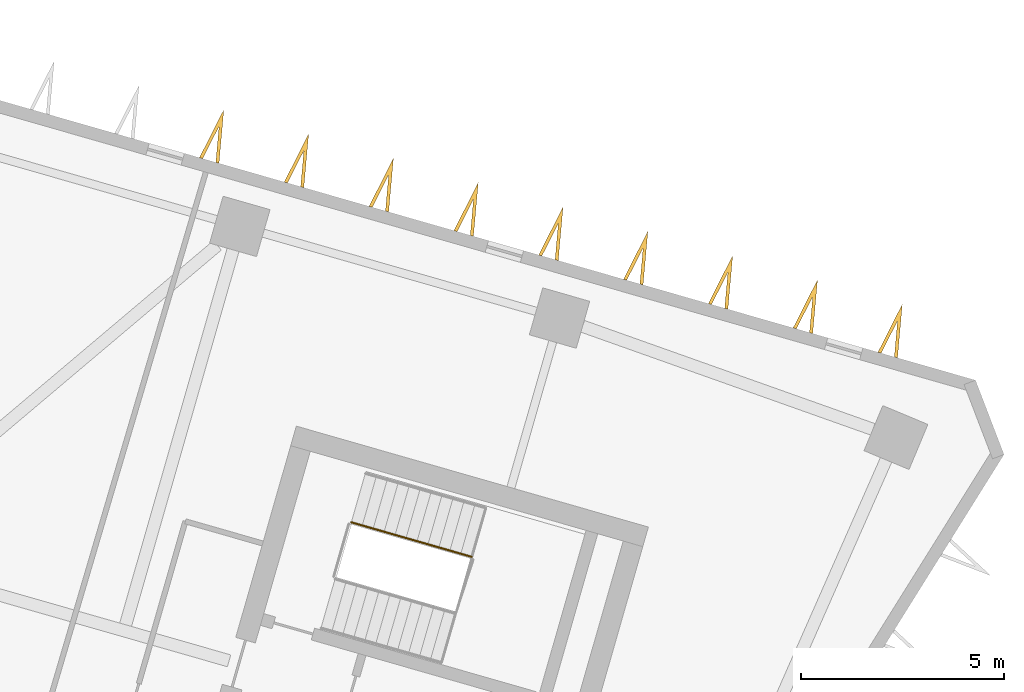
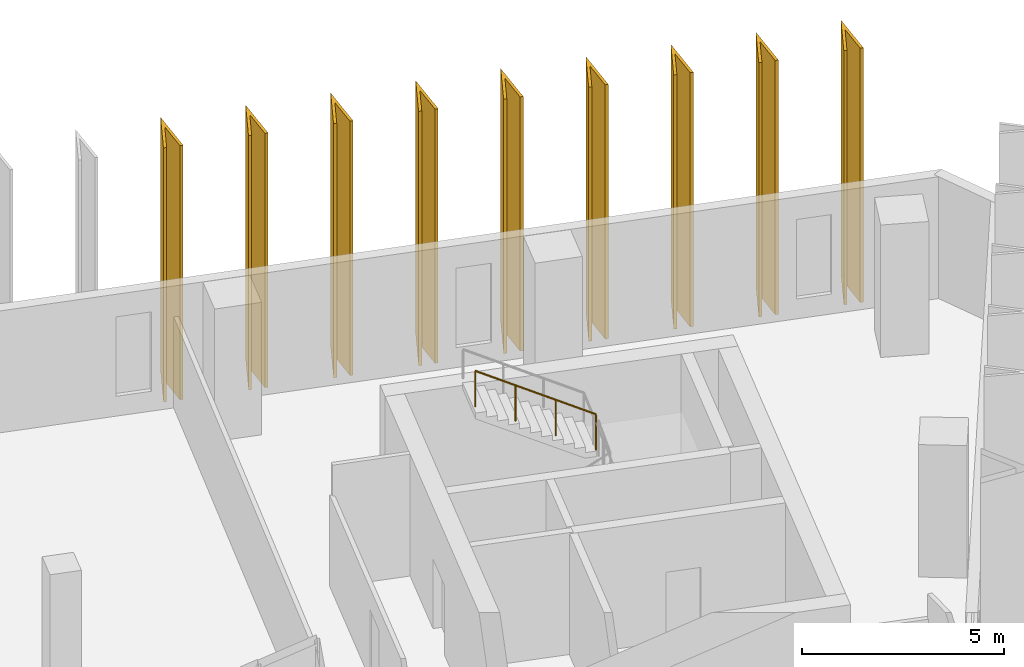
# One storey, part 10 of 10: 9 shading devices, 1 railing.
"""IFC4 building model written with IfcOpenShell, lengths in metres."""

import ifcopenshell
import ifcopenshell.guid

model = None  # the IFC model being written
_history = None  # IfcOwnerHistory: only IFC2X3 demands one
_inside = {}  # id of a spatial element -> (the spatial element, [elements in it])
_under = {}  # id of a project, library or spatial element -> (it, [spatial elements below it])
_declared = {}  # id of a project -> (the project, [libraries it declares])
_typed = {}  # id of a type object -> (the type object, [elements of that type])
_made_of = {}  # id of a material, layer set ... -> (it, [elements and type objects made of it])


def new_model(schema):
    """Start an empty IFC model of exactly this schema.

    Asked for "IFC4X3", IfcOpenShell would pick the latest addendum, in which some entities
    have other attributes; the version numbers below select the first issue.
    IFC2X3 requires an IfcOwnerHistory on every rooted entity: one is made here for all.
    """
    global model, _history
    if schema == "IFC4X3":
        model = ifcopenshell.file(schema_version=(4, 3, 0, 0))
    else:
        model = ifcopenshell.file(schema=schema)
    _inside.clear()
    _under.clear()
    _declared.clear()
    _typed.clear()
    _made_of.clear()
    _history = None
    if model.schema == "IFC2X3":
        org = make("IfcOrganization", Name="unknown")
        user = make(
            "IfcPersonAndOrganization",
            ThePerson=make("IfcPerson", FamilyName="unknown"),
            TheOrganization=org,
        )
        app = make(
            "IfcApplication",
            ApplicationDeveloper=org,
            Version="unknown",
            ApplicationFullName="unknown",
            ApplicationIdentifier="unknown",
        )
        _history = make(
            "IfcOwnerHistory",
            OwningUser=user,
            OwningApplication=app,
            ChangeAction="ADDED",
            CreationDate=0,
        )
    return model


def make(cls, **values):
    """One entity of the class cls with the attributes given. An attribute that is None is left unset."""
    return model.create_entity(
        cls, **{name: value for name, value in values.items() if value is not None}
    )


def rooted(cls, **values):
    """An entity with a GlobalId (a new one), such as an element, a storey or a relation."""
    return make(cls, GlobalId=ifcopenshell.guid.new(), OwnerHistory=_history, **values)


def si_unit(unit_type, name, prefix=None):
    """IfcSIUnit, for example si_unit("LENGTHUNIT", "METRE", prefix="MILLI")."""
    return make("IfcSIUnit", UnitType=unit_type, Prefix=prefix, Name=name)


def assignment(units):
    """IfcUnitAssignment: the units of a project."""
    return None if units is None else make("IfcUnitAssignment", Units=units)


def point(xyz):
    """IfcCartesianPoint."""
    return None if xyz is None else make("IfcCartesianPoint", Coordinates=xyz)


def direction(xyz):
    """IfcDirection."""
    return None if xyz is None else make("IfcDirection", DirectionRatios=xyz)


def frame(location, z_axis=None, x_axis=None):
    """IfcAxis2Placement3D, a coordinate frame: its origin and axes. An axis left out is left unset."""
    return make(
        "IfcAxis2Placement3D",
        Location=point(location),
        Axis=direction(z_axis),
        RefDirection=direction(x_axis),
    )


def frame_2d(location, x_axis=None):
    """IfcAxis2Placement2D, a coordinate frame in the plane: its origin and x axis."""
    return make(
        "IfcAxis2Placement2D", Location=point(location), RefDirection=direction(x_axis)
    )


def origin():
    """The frame at (0, 0, 0) with its axes left unset."""
    return frame((0.0, 0.0, 0.0))


def origin_2d():
    """The frame at (0, 0) in the plane with its x axis left unset."""
    return frame_2d((0.0, 0.0))


def place(relative_to, where):
    """IfcLocalPlacement: puts the frame where relative to a parent placement (None: the world)."""
    return make(
        "IfcLocalPlacement", PlacementRelTo=relative_to, RelativePlacement=where
    )


def context(
    kind, dimensions, precision=None, world=None, true_north=None, identifier=None
):
    """IfcGeometricRepresentationContext, for example the 3D "Model" context."""
    return make(
        "IfcGeometricRepresentationContext",
        ContextIdentifier=identifier,
        ContextType=kind,
        CoordinateSpaceDimension=dimensions,
        Precision=precision,
        WorldCoordinateSystem=world,
        TrueNorth=true_north,
    )


def subcontext(parent, identifier, kind, view, scale=None):
    """IfcGeometricRepresentationSubContext, for example "Body" below "Model"."""
    return make(
        "IfcGeometricRepresentationSubContext",
        ContextIdentifier=identifier,
        ContextType=kind,
        ParentContext=parent,
        TargetScale=scale,
        TargetView=view,
    )


def project(units=None, contexts=None):
    """IfcProject with its units and contexts."""
    return rooted(
        "IfcProject",
        Name="project",
        RepresentationContexts=contexts,
        UnitsInContext=assignment(units),
    )


def spatial(cls, under=None, at=None, **own):
    """A site, building, storey or space (cls), placed at a placement, below another one or the project."""
    s = rooted(cls, ObjectPlacement=at, **own)
    if under is not None:
        _under.setdefault(under.id(), (under, []))[1].append(s)
    return s


def polyline(points):
    """IfcPolyline through the points."""
    return make("IfcPolyline", Points=[point(p) for p in points])


def profile(cls, at=None, kind="AREA", **sizes):
    """A parametric profile (cls). Its sizes go by their IFC names, for example OverallWidth=200.0."""
    return make(cls, ProfileType=kind, Position=at, **sizes)


def circle(**sizes):
    """IfcCircleProfileDef."""
    return profile("IfcCircleProfileDef", **sizes)


def outline(outer, holes=None, kind="AREA"):
    """IfcArbitraryClosedProfileDef: a profile drawn as a closed curve; with holes, ...WithVoids."""
    if holes is None:
        return make("IfcArbitraryClosedProfileDef", ProfileType=kind, OuterCurve=outer)
    return make(
        "IfcArbitraryProfileDefWithVoids",
        ProfileType=kind,
        OuterCurve=outer,
        InnerCurves=holes,
    )


def extrude(swept, where, along, depth):
    """IfcExtrudedAreaSolid: the profile swept, set in the frame where, extruded along a direction by depth."""
    return make(
        "IfcExtrudedAreaSolid",
        SweptArea=swept,
        Position=where,
        ExtrudedDirection=direction(along),
        Depth=depth,
    )


def shape(context_of_items, identifier, shape_type, items):
    """IfcShapeRepresentation: the items that make up one representation, for example the "Body"."""
    return make(
        "IfcShapeRepresentation",
        ContextOfItems=context_of_items,
        RepresentationIdentifier=identifier,
        RepresentationType=shape_type,
        Items=items,
    )


def material(Name=None, Category=None):
    """IfcMaterial."""
    return make("IfcMaterial", Name=Name, Category=Category)


def made_of(thing, what):
    """Note that an element or type object is made of a material, layer set ...; save() writes the relation."""
    if what is not None:
        _made_of.setdefault(what.id(), (what, []))[1].append(thing)
    return thing


def type_object(cls, material=None, **own):
    """A type object (cls), such as IfcWallType, which elements share."""
    return made_of(rooted(cls, **own), material)


def element(
    cls,
    number,
    at=None,
    inside=None,
    cuts=None,
    type_object=None,
    material=None,
    context=None,
    identifier="Body",
    shape_type=None,
    held_by="IfcProductDefinitionShape",
    body=None,
    shapes=None,
    **own,
):
    """One element of the class cls, such as IfcWall. Its Tag is "e" and its number.

    at: its placement. inside: the storey or other place that contains it. cuts: it is an
    opening in that element (IfcRelVoidsElement). A single representation is given by context,
    identifier, shape_type and body (its items); several are given by shapes. held_by: the class
    of the entity that holds the representations. save() writes the other relations.
    """
    e = rooted(cls, Tag="e%d" % number, ObjectPlacement=at, **own)
    if body is not None:
        shapes = [shape(context, identifier, shape_type, body)]
    if shapes is not None:
        e.Representation = make(held_by, Representations=shapes)
    if inside is not None:
        _inside.setdefault(inside.id(), (inside, []))[1].append(e)
    if cuts is not None:
        rooted(
            "IfcRelVoidsElement", RelatingBuildingElement=cuts, RelatedOpeningElement=e
        )
    if type_object is not None:
        _typed.setdefault(type_object.id(), (type_object, []))[1].append(e)
    return made_of(e, material)


def aggregate(whole, parts):
    """IfcRelAggregates: a whole, such as a stair, and the parts it consists of."""
    return rooted("IfcRelAggregates", RelatingObject=whole, RelatedObjects=parts)


def save(model, path):
    """Write the relations noted so far, then the file.

    IfcRelAggregates (storeys below a building ...), IfcRelContainedInSpatialStructure (elements
    in a storey), IfcRelDefinesByType, IfcRelAssociatesMaterial and IfcRelDeclares: one each for
    every whole, place, type object, material and project.
    """
    for whole, parts in _under.values():
        aggregate(whole, parts)
    for where, things in _inside.values():
        rooted(
            "IfcRelContainedInSpatialStructure",
            RelatedElements=things,
            RelatingStructure=where,
        )
    for kind, things in _typed.values():
        rooted("IfcRelDefinesByType", RelatedObjects=things, RelatingType=kind)
    for what, things in _made_of.values():
        rooted("IfcRelAssociatesMaterial", RelatedObjects=things, RelatingMaterial=what)
    for by, libraries in _declared.values():
        rooted("IfcRelDeclares", RelatingContext=by, RelatedDefinitions=libraries)
    model.write(path)


model = new_model("IFC4")

# Units and contexts
model_context = context("Model", 3, precision=1e-05, world=origin(), true_north=direction((0.0, 1.0)))
body_context = subcontext(model_context, "Body", "Model", "MODEL_VIEW")
ifc_project = project(units=[si_unit("LENGTHUNIT", "METRE"), si_unit("AREAUNIT", "SQUARE_METRE"), si_unit("VOLUMEUNIT", "CUBIC_METRE"), si_unit("PLANEANGLEUNIT", "RADIAN"), si_unit("MASSUNIT", "GRAM", prefix="KILO")], contexts=[model_context])

# Site, building, storey
site_placement = place(None, origin())
site = spatial("IfcSite", under=ifc_project, at=site_placement, CompositionType="ELEMENT")
building_placement = place(site_placement, origin())
building = spatial("IfcBuilding", under=site, at=building_placement, Name="Binnacle Exchange Tower", CompositionType="ELEMENT")
storey_placement = place(building_placement, frame((0.0, 0.0, 170.89990234375)))
storey = spatial("IfcBuildingStorey", under=building, at=storey_placement, Name="L36", CompositionType="ELEMENT", Elevation=170.89990234375)

# Railing
ifc_material_1 = material(Name="Steel guard rail", Category="steel")
railing_type = type_object("IfcRailingType", Name="STAIR GUARD 1100", PredefinedType="GUARDRAIL", material=ifc_material_1)
railing_placement = place(storey_placement, frame((24.447021484375, 57.255126953125, 2.166748046875)))
element("IfcRailing", 1, at=railing_placement, inside=storey, type_object=railing_type, Name="L36 STD1 stair guard 2", PredefinedType="GUARDRAIL", context=body_context, shape_type="SweptSolid", body=[
    extrude(circle(Radius=0.02392578125, at=origin_2d()), frame((0.0, 0.0, 1.076171875), z_axis=(-0.826006950853, 0.236897186037, 0.511460888427), x_axis=(-0.27568413623, -0.961248280639, 0.0)), (0.0, 0.0, 1.0), 3.584228515625),
    extrude(circle(Radius=0.02099609375, at=origin_2d()), origin(), (0.0, 0.0, 1.0), 1.052001953125),
    extrude(circle(Radius=0.02099609375, at=origin_2d()), frame((-0.98681640625, 0.282958984375, 0.611083984375)), (0.0, 0.0, 1.0), 1.052001953125),
    extrude(circle(Radius=0.02099609375, at=origin_2d()), frame((-1.973876953125, 0.566162109375, 1.22216796875)), (0.0, 0.0, 1.0), 1.052001953125),
    extrude(circle(Radius=0.02099609375, at=origin_2d()), frame((-2.960693359375, 0.84912109375, 1.833251953125)), (0.0, 0.0, 1.0), 1.052001953125),
])

# Shading devices
ifc_material_2 = material(Name="Bronze aluminium cladding", Category="aluminium")
shading_device_type = type_object("IfcShadingDeviceType", Name="V FIN 1300 DEEP x 7680 HIGH", PredefinedType="USERDEFINED", material=ifc_material_2)
shading_device_1_placement = place(storey_placement, origin())
element("IfcShadingDevice", 2, at=shading_device_1_placement, inside=storey, type_object=shading_device_type, Name="V fin FN-G06-01 L36", ObjectType="FIN", PredefinedType="USERDEFINED", context=body_context, shape_type="SweptSolid", body=[
    extrude(outline(polyline([(34.90966796875, 62.145751953125), (35.027587890625, 63.46435546875), (34.42919921875, 62.28369140625), (34.50732421875, 62.26123046875), (34.910888671875, 63.05712890625), (34.831298828125, 62.168212890625), (34.90966796875, 62.145751953125)])), origin(), (0.0, 0.0, 1.0), 7.68017578125),
])
shading_device_2_placement = place(storey_placement, origin())
element("IfcShadingDevice", 3, at=shading_device_2_placement, inside=storey, type_object=shading_device_type, Name="V fin FN-G06-02 L36", ObjectType="FIN", PredefinedType="USERDEFINED", context=body_context, shape_type="SweptSolid", body=[
    extrude(outline(polyline([(32.825439453125, 62.743408203125), (32.943359375, 64.06201171875), (32.3447265625, 62.88134765625), (32.423095703125, 62.85888671875), (32.82666015625, 63.65478515625), (32.7470703125, 62.765869140625), (32.825439453125, 62.743408203125)])), origin(), (0.0, 0.0, 1.0), 7.68017578125),
])
shading_device_3_placement = place(storey_placement, origin())
element("IfcShadingDevice", 4, at=shading_device_3_placement, inside=storey, type_object=shading_device_type, Name="V fin FN-G06-03 L36", ObjectType="FIN", PredefinedType="USERDEFINED", context=body_context, shape_type="SweptSolid", body=[
    extrude(outline(polyline([(30.7412109375, 63.341064453125), (30.859130859375, 64.65966796875), (30.260498046875, 63.47900390625), (30.3388671875, 63.45654296875), (30.742431640625, 64.25244140625), (30.662841796875, 63.363525390625), (30.7412109375, 63.341064453125)])), origin(), (0.0, 0.0, 1.0), 7.68017578125),
])
shading_device_4_placement = place(storey_placement, origin())
element("IfcShadingDevice", 5, at=shading_device_4_placement, inside=storey, type_object=shading_device_type, Name="V fin FN-G06-04 L36", ObjectType="FIN", PredefinedType="USERDEFINED", context=body_context, shape_type="SweptSolid", body=[
    extrude(outline(polyline([(28.656982421875, 63.938720703125), (28.77490234375, 65.25732421875), (28.17626953125, 64.07666015625), (28.254638671875, 64.05419921875), (28.658203125, 64.85009765625), (28.57861328125, 63.961181640625), (28.656982421875, 63.938720703125)])), origin(), (0.0, 0.0, 1.0), 7.68017578125),
])
shading_device_5_placement = place(storey_placement, origin())
element("IfcShadingDevice", 6, at=shading_device_5_placement, inside=storey, type_object=shading_device_type, Name="V fin FN-G06-05 L36", ObjectType="FIN", PredefinedType="USERDEFINED", context=body_context, shape_type="SweptSolid", body=[
    extrude(outline(polyline([(26.57275390625, 64.536376953125), (26.690673828125, 65.85498046875), (26.092041015625, 64.67431640625), (26.17041015625, 64.65185546875), (26.573974609375, 65.44775390625), (26.494384765625, 64.558837890625), (26.57275390625, 64.536376953125)])), origin(), (0.0, 0.0, 1.0), 7.68017578125),
])
shading_device_6_placement = place(storey_placement, origin())
element("IfcShadingDevice", 7, at=shading_device_6_placement, inside=storey, type_object=shading_device_type, Name="V fin FN-G06-06 L36", ObjectType="FIN", PredefinedType="USERDEFINED", context=body_context, shape_type="SweptSolid", body=[
    extrude(outline(polyline([(24.488525390625, 65.134033203125), (24.6064453125, 66.45263671875), (24.0078125, 65.27197265625), (24.086181640625, 65.24951171875), (24.48974609375, 66.04541015625), (24.41015625, 65.156494140625), (24.488525390625, 65.134033203125)])), origin(), (0.0, 0.0, 1.0), 7.68017578125),
])
shading_device_7_placement = place(storey_placement, origin())
element("IfcShadingDevice", 8, at=shading_device_7_placement, inside=storey, type_object=shading_device_type, Name="V fin FN-G06-07 L36", ObjectType="FIN", PredefinedType="USERDEFINED", context=body_context, shape_type="SweptSolid", body=[
    extrude(outline(polyline([(22.404296875, 65.731689453125), (22.522216796875, 67.05029296875), (21.923583984375, 65.869384765625), (22.001953125, 65.84716796875), (22.405517578125, 66.64306640625), (22.325927734375, 65.754150390625), (22.404296875, 65.731689453125)])), origin(), (0.0, 0.0, 1.0), 7.68017578125),
])
shading_device_8_placement = place(storey_placement, origin())
element("IfcShadingDevice", 9, at=shading_device_8_placement, inside=storey, type_object=shading_device_type, Name="V fin FN-G06-08 L36", ObjectType="FIN", PredefinedType="USERDEFINED", context=body_context, shape_type="SweptSolid", body=[
    extrude(outline(polyline([(20.320068359375, 66.329345703125), (20.43798828125, 67.64794921875), (19.83935546875, 66.46728515625), (19.917724609375, 66.44482421875), (20.3212890625, 67.24072265625), (20.24169921875, 66.351806640625), (20.320068359375, 66.329345703125)])), origin(), (0.0, 0.0, 1.0), 7.68017578125),
])
shading_device_9_placement = place(storey_placement, origin())
element("IfcShadingDevice", 10, at=shading_device_9_placement, inside=storey, type_object=shading_device_type, Name="V fin FN-G06-09 L36", ObjectType="FIN", PredefinedType="USERDEFINED", context=body_context, shape_type="SweptSolid", body=[
    extrude(outline(polyline([(18.23583984375, 66.927001953125), (18.353759765625, 68.24560546875), (17.755126953125, 67.064697265625), (17.83349609375, 67.04248046875), (18.237060546875, 67.83837890625), (18.157470703125, 66.949462890625), (18.23583984375, 66.927001953125)])), origin(), (0.0, 0.0, 1.0), 7.68017578125),
])

save(model, "model.ifc")
